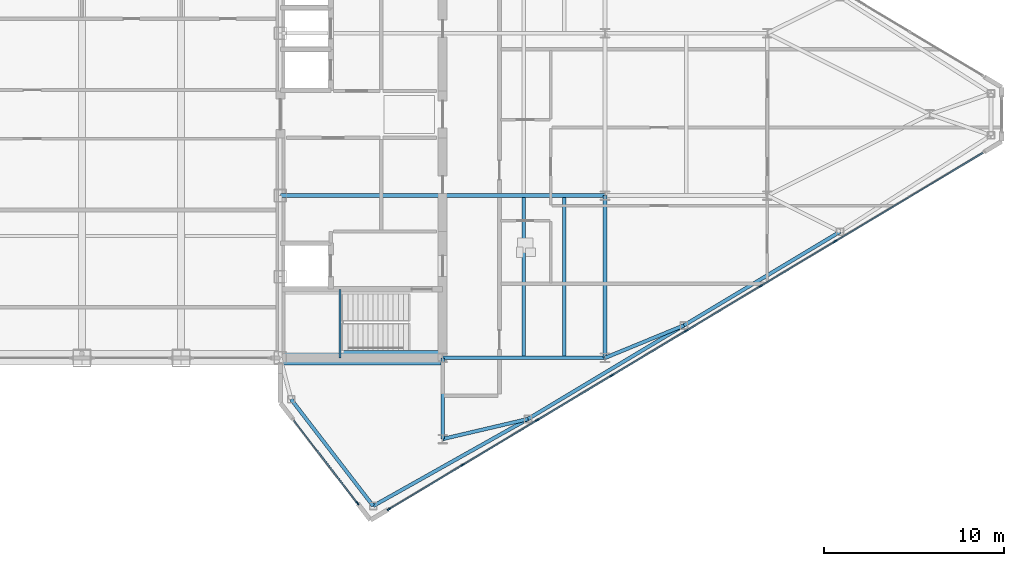
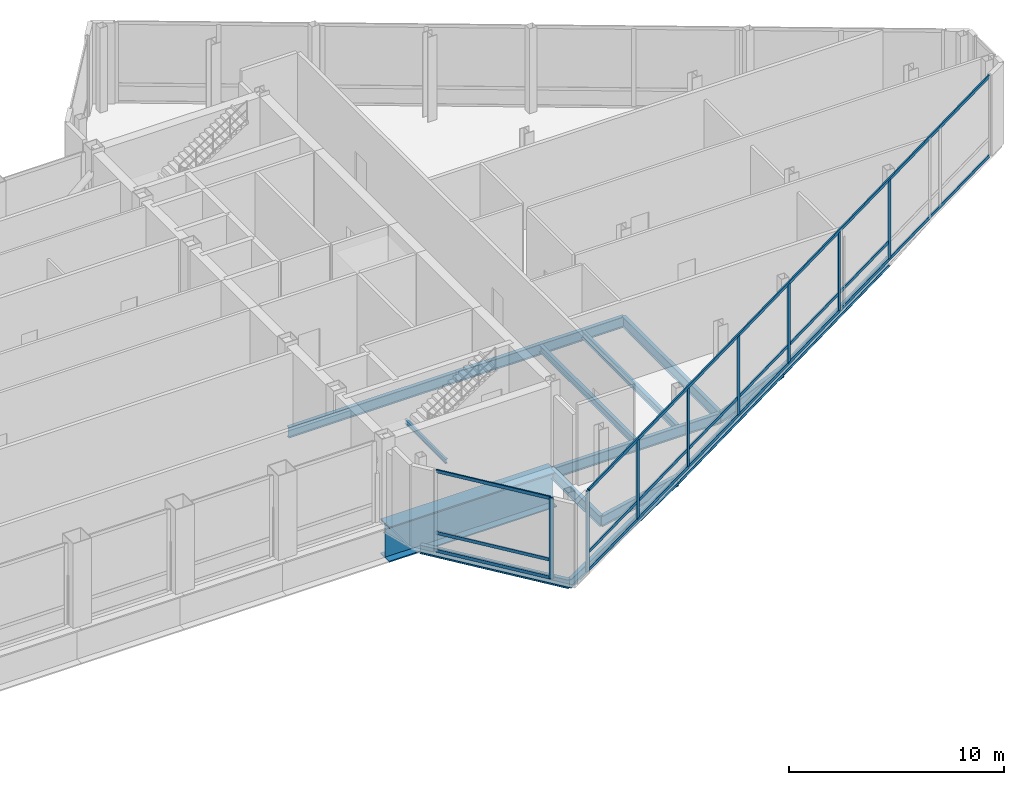
# One storey, part 14 of 30: 19 members, 15 beams, 2 elements without a shape of their own.
"""IFC4 building model written with IfcOpenShell, lengths in metres."""

from ifc_helpers import new_model, si_unit, direction, frame, origin, origin_2d, place, context, subcontext, project, spatial, rectangle, i_section, extrude, source, transform, mapped, material, layer, layer_set, material_profile, profile_set, type_object, type_shapes, element, aggregate, save


model = new_model("IFC4")

# Units and contexts
model_context = context("Model", 3, precision=1e-05, world=origin(), true_north=direction((0.0, 1.0)))
body_context = subcontext(model_context, "Body", "Model", "MODEL_VIEW")
ifc_project = project(units=[si_unit("LENGTHUNIT", "METRE"), si_unit("AREAUNIT", "SQUARE_METRE"), si_unit("VOLUMEUNIT", "CUBIC_METRE"), si_unit("PLANEANGLEUNIT", "RADIAN"), si_unit("MASSUNIT", "GRAM", prefix="KILO")], contexts=[model_context])

# Site, building, storey
site_placement = place(None, origin())
site = spatial("IfcSite", under=ifc_project, at=site_placement, CompositionType="ELEMENT")
building_placement = place(site_placement, origin())
building = spatial("IfcBuilding", under=site, at=building_placement, Name="Seokmaru Belvedere", CompositionType="ELEMENT")
storey_placement = place(building_placement, frame((0.0, 0.0, 234.60009765625)))
storey = spatial("IfcBuildingStorey", under=building, at=storey_placement, Name="L62", CompositionType="ELEMENT", Elevation=234.60009765625)

# Beams
ifc_material_1 = material(Name="Steel SM355 (355 MPa)", Category="steel")
ifc_material_profile_1 = material_profile(ifc_material_1, i_section(OverallWidth=0.199951171875, OverallDepth=0.60009765625, WebThickness=0.010986328125, FlangeThickness=0.01708984375, at=origin_2d()), Name="H-600x200x11x17")
ifc_profile_set_1 = profile_set([ifc_material_profile_1], Name="Steel SM355 (355 MPa)")
beam_type_1 = type_object("IfcBeamType", Name="Primary Floor Girder H-600", PredefinedType="BEAM", material=ifc_profile_set_1)
shared_shape_1 = source(origin(), body_context, "Body", "SweptSolid", [
    extrude(i_section(OverallWidth=0.199951171875, OverallDepth=0.60009765625, WebThickness=0.010986328125, FlangeThickness=0.01708984375, at=origin_2d()), origin(), (0.0, 0.0, 1.0), 9.0),
])
for number, where, z_axis, x_axis, name in (
    (1, (45.5, -13.5, -0.56005859375), (0.0, 1.0, 0.0), (-1.0, 0.0, 0.0), "L62 E Interior Grid Girder 1"),
    (2, (36.5, -13.5, -0.56005859375), (1.0, 0.0, 0.0), (0.0, 1.0, 0.0), "L62 E Wing Primary Girder 1"),
    (3, (27.5, -4.5, -0.56005859375), (1.0, 0.0, 0.0), (0.0, 1.0, 0.0), "L62 E Core Tie Girder 2"),
    (4, (36.5, -4.5, -0.56005859375), (1.0, 0.0, 0.0), (0.0, 1.0, 0.0), "L62 E Wing Primary Girder 2"),
):
    element("IfcBeam", number, at=place(storey_placement, frame(where, z_axis=z_axis, x_axis=x_axis)), inside=storey, type_object=beam_type_1, Name=name, PredefinedType="BEAM", context=body_context, shape_type="MappedRepresentation", body=[
        mapped(shared_shape_1, transform((0.0, 0.0, 0.0), scale=1.0)),
    ])
ifc_material_profile_2 = material_profile(ifc_material_1, i_section(OverallWidth=0.18505859375, OverallDepth=0.389892578125, WebThickness=0.008056640625, FlangeThickness=0.011962890625, at=origin_2d()), Name="H-390x185x8x12")
ifc_profile_set_2 = profile_set([ifc_material_profile_2], Name="Steel SM355 (355 MPa)")
beam_type_2 = type_object("IfcBeamType", Name="Secondary Floor Joist H-350", PredefinedType="JOIST", material=ifc_profile_set_2)
shared_shape_2 = source(origin(), body_context, "Body", "SweptSolid", [
    extrude(i_section(OverallWidth=0.18505859375, OverallDepth=0.389892578125, WebThickness=0.008056640625, FlangeThickness=0.011962890625, at=origin_2d()), origin(), (0.0, 0.0, 1.0), 8.7900390625),
])
type_shapes(beam_type_2, [shared_shape_2])
for number, where, z_axis, x_axis, name in (
    (5, (43.25, -13.39501953125, -0.455078125), (0.0, 1.0, 0.0), (-1.0, 0.0, 0.0), "L62 E Wing Inner Secondary Joist 1"),
    (6, (41.0, -13.39501953125, -0.455078125), (0.0, 1.0, 0.0), (-1.0, 0.0, 0.0), "L62 E Secondary Floor Joist 1"),
):
    element("IfcBeam", number, at=place(storey_placement, frame(where, z_axis=z_axis, x_axis=x_axis)), inside=storey, type_object=beam_type_2, Name=name, PredefinedType="JOIST", context=body_context, shape_type="MappedRepresentation", body=[
        mapped(shared_shape_2, transform((0.0, 0.0, 0.0), scale=1.0)),
    ])
shared_shape_3 = source(origin(), body_context, "Body", "SweptSolid", [
    extrude(i_section(OverallWidth=0.199951171875, OverallDepth=0.60009765625, WebThickness=0.010986328125, FlangeThickness=0.01708984375, at=origin_2d()), origin(), (0.0, 0.0, 1.0), 4.5),
])
beam_1_placement = place(storey_placement, frame((36.5, -18.0, -0.56005859375), z_axis=(0.0, 1.0, 0.0), x_axis=(-1.0, 0.0, 0.0)))
element("IfcBeam", 7, at=beam_1_placement, inside=storey, type_object=beam_type_1, Name="L62 E Core Shoulder Girder S", PredefinedType="BEAM", context=body_context, shape_type="MappedRepresentation", body=[
    mapped(shared_shape_3, transform((0.0, 0.0, 0.0), scale=1.0)),
])
ifc_material_profile_3 = material_profile(ifc_material_1, i_section(OverallWidth=0.199951171875, OverallDepth=0.5, WebThickness=0.010009765625, FlangeThickness=0.01611328125, at=origin_2d()), Name="H-500x200x10x16")
ifc_profile_set_3 = profile_set([ifc_material_profile_3], Name="Steel SM355 (355 MPa)")
beam_type_3 = type_object("IfcBeamType", Name="Perimeter Spandrel Beam H-500", PredefinedType="SPANDREL", material=ifc_profile_set_3)
shared_shape_4 = source(origin(), body_context, "Body", "SweptSolid", [
    extrude(i_section(OverallWidth=0.199951171875, OverallDepth=0.5, WebThickness=0.010009765625, FlangeThickness=0.01611328125, at=origin_2d()), origin(), (0.0, 0.0, 1.0), 9.842041015625),
])
beam_2_placement = place(storey_placement, frame((32.649658203125, -21.71044921875, -0.510009765625), z_axis=(0.871782151818, 0.489893743349, 0.0), x_axis=(-0.489893743349, 0.871782151818, 0.0)))
element("IfcBeam", 8, at=beam_2_placement, inside=storey, type_object=beam_type_3, Name="L62 E Faceted Flank Spandrel S-1", PredefinedType="SPANDREL", context=body_context, shape_type="MappedRepresentation", body=[
    mapped(shared_shape_4, transform((0.0, 0.0, 0.0), scale=1.0)),
])
shared_shape_5 = source(origin(), body_context, "Body", "SweptSolid", [
    extrude(i_section(OverallWidth=0.199951171875, OverallDepth=0.5, WebThickness=0.010009765625, FlangeThickness=0.01611328125, at=origin_2d()), origin(), (0.0, 0.0, 1.0), 10.087646484375),
])
for number, where, z_axis, x_axis, name in (
    (9, (41.229736328125, -16.888916015625, -0.510009765625), (0.857499332045, 0.514485078056, 0.0), (-0.514485078056, 0.857499332045, 0.0), "L62 E Faceted Flank Spandrel S-2"),
    (10, (49.8798828125, -11.698974609375, -0.510009765625), (0.857488654804, 0.514502873542, 0.0), (-0.514502873542, 0.857488654804, 0.0), "L62 E Faceted Flank Spandrel S-3"),
):
    element("IfcBeam", number, at=place(storey_placement, frame(where, z_axis=z_axis, x_axis=x_axis)), inside=storey, type_object=beam_type_3, Name=name, PredefinedType="SPANDREL", context=body_context, shape_type="MappedRepresentation", body=[
        mapped(shared_shape_5, transform((0.0, 0.0, 0.0), scale=1.0)),
    ])
shared_shape_6 = source(origin(), body_context, "Body", "SweptSolid", [
    extrude(i_section(OverallWidth=0.199951171875, OverallDepth=0.5, WebThickness=0.010009765625, FlangeThickness=0.01611328125, at=origin_2d()), origin(), (0.0, 0.0, 1.0), 7.4619140625),
])
type_shapes(beam_type_3, [shared_shape_4, shared_shape_5, shared_shape_6])
beam_3_placement = place(storey_placement, frame((32.649658203125, -21.71044921875, -0.510009765625), z_axis=(-0.609702854945, 0.792630070507, 0.0), x_axis=(-0.792630070507, -0.609702854945, 0.0)))
element("IfcBeam", 11, at=beam_3_placement, inside=storey, type_object=beam_type_3, Name="L62 E Shoulder Chamfer Spandrel S", PredefinedType="SPANDREL", context=body_context, shape_type="MappedRepresentation", body=[
    mapped(shared_shape_6, transform((0.0, 0.0, 0.0), scale=1.0)),
])
shared_shape_7 = source(origin(), body_context, "Body", "SweptSolid", [
    extrude(i_section(OverallWidth=0.199951171875, OverallDepth=0.60009765625, WebThickness=0.010986328125, FlangeThickness=0.01708984375, at=origin_2d()), origin(), (0.0, 0.0, 1.0), 4.8583984375),
])
beam_4_placement = place(storey_placement, frame((41.229736328125, -16.888916015625, -0.56005859375), z_axis=(-0.97349948295, -0.228689214211, 0.0), x_axis=(0.228689214211, -0.97349948295, 0.0)))
element("IfcBeam", 12, at=beam_4_placement, inside=storey, type_object=beam_type_1, Name="L62 E Flank Radial Floor Girder S-1", PredefinedType="BEAM", context=body_context, shape_type="MappedRepresentation", body=[
    mapped(shared_shape_7, transform((0.0, 0.0, 0.0), scale=1.0)),
])
shared_shape_8 = source(origin(), body_context, "Body", "SweptSolid", [
    extrude(i_section(OverallWidth=0.199951171875, OverallDepth=0.60009765625, WebThickness=0.010986328125, FlangeThickness=0.01708984375, at=origin_2d()), origin(), (0.0, 0.0, 1.0), 4.73583984375),
])
type_shapes(beam_type_1, [shared_shape_1, shared_shape_3, shared_shape_7, shared_shape_8])
beam_5_placement = place(storey_placement, frame((49.8798828125, -11.698974609375, -0.56005859375), z_axis=(-0.924860562953, -0.380306375301, 0.0), x_axis=(0.380306375301, -0.924860562953, 0.0)))
element("IfcBeam", 13, at=beam_5_placement, inside=storey, type_object=beam_type_1, Name="L62 E Flank Radial Floor Girder S-2", PredefinedType="BEAM", context=body_context, shape_type="MappedRepresentation", body=[
    mapped(shared_shape_8, transform((0.0, 0.0, 0.0), scale=1.0)),
])
ifc_material_2 = material(Name="Steel HSA650 (650 MPa)", Category="steel")
ifc_material_profile_4 = material_profile(ifc_material_2, i_section(OverallWidth=0.800048828125, OverallDepth=2.0, WebThickness=0.0400390625, FlangeThickness=0.070068359375, at=origin_2d()), Name="BH-2000x800x40x70")
ifc_profile_set_4 = profile_set([ifc_material_profile_4], Name="Steel HSA650 (650 MPa)")
beam_type_4 = type_object("IfcBeamType", Name="Sky-Gate Transfer Truss Chord Girder BH-2000", PredefinedType="BEAM", material=ifc_profile_set_4)
shared_shape_9 = source(origin(), body_context, "Body", "SweptSolid", [
    extrude(i_section(OverallWidth=0.800048828125, OverallDepth=2.0, WebThickness=0.0400390625, FlangeThickness=0.070068359375, at=origin_2d()), origin(), (0.0, 0.0, 1.0), 9.0),
])
type_shapes(beam_type_4, [shared_shape_9])
beam_6_placement = place(storey_placement, frame((27.5, -13.5, -1.260009765625), z_axis=(1.0, 0.0, 0.0), x_axis=(0.0, 1.0, 0.0)))
element("IfcBeam", 14, at=beam_6_placement, inside=storey, type_object=beam_type_4, Name="L62 Sky-Gate Transfer Truss Chord S-12", PredefinedType="BEAM", context=body_context, shape_type="MappedRepresentation", body=[
    mapped(shared_shape_9, transform((0.0, 0.0, 0.0), scale=1.0)),
])

# Curtain wall, members
ifc_material_3 = material(Name="Bronze Triple Insulating Glass", Category="glass")
ifc_layer = layer(ifc_material_3, 0.219970703125)
ifc_layer_set = layer_set([ifc_layer], Name="Bronze Triple Insulating Glass")
curtain_wall_type = type_object("IfcCurtainWallType", Name="Sky-Gate Bridge Panorama Curtain Wall System CW-6", PredefinedType="NOTDEFINED", material=ifc_layer_set)
curtain_wall_1_placement = place(storey_placement, origin())
curtain_wall_1 = element("IfcCurtainWall", 15, at=curtain_wall_1_placement, inside=storey, type_object=curtain_wall_type, Name="L62 Curtain Wall EF6", PredefinedType="NOTDEFINED")
ifc_material_4 = material(Name="Anodised Bronze Aluminium", Category="aluminium")
ifc_material_profile_5 = material_profile(ifc_material_4, rectangle(XDim=0.074951171875, YDim=0.179931640625, at=origin_2d()), Name="CW-T-75x180")
ifc_profile_set_5 = profile_set([ifc_material_profile_5], Name="Anodised Bronze Aluminium")
member_type_1 = type_object("IfcMemberType", Name="Bronze Unitised Transom 75x180", PredefinedType="USERDEFINED", material=ifc_profile_set_5)
shared_shape_10 = source(origin(), body_context, "Body", "SweptSolid", [
    extrude(rectangle(XDim=0.074951171875, YDim=0.179931640625, at=origin_2d()), origin(), (0.0, 0.0, 1.0), 5.74072265625),
])
member_1_placement = place(storey_placement, frame((28.25, -16.974853515625, 0.037353515625), z_axis=(0.609686097287, -0.792642960465, 0.0), x_axis=(0.792642960465, 0.609686097287, 0.0)))
member_1 = element("IfcMember", 16, at=member_1_placement, type_object=member_type_1, Name="CW:L62:EF6 Continuous Transom 1", ObjectType="TRANSOM", PredefinedType="USERDEFINED", context=body_context, shape_type="MappedRepresentation", body=[
    mapped(shared_shape_10, transform((0.0, 0.0, 0.0), scale=1.0)),
])
member_2_placement = place(storey_placement, frame((28.25, -16.974853515625, 4.54248046875), z_axis=(0.609686097287, -0.792642960465, 0.0), x_axis=(0.792642960465, 0.609686097287, 0.0)))
member_2 = element("IfcMember", 17, at=member_2_placement, type_object=member_type_1, Name="CW:L62:EF6 Continuous Transom 2", ObjectType="TRANSOM", PredefinedType="USERDEFINED", context=body_context, shape_type="MappedRepresentation", body=[
    mapped(shared_shape_10, transform((0.0, 0.0, 0.0), scale=1.0)),
])
member_3_placement = place(storey_placement, frame((28.25, -16.974853515625, 1.0498046875), z_axis=(0.609686097287, -0.792642960465, 0.0), x_axis=(0.792642960465, 0.609686097287, 0.0)))
member_3 = element("IfcMember", 18, at=member_3_placement, type_object=member_type_1, Name="CW:L62:EF6 Spandrel Transom 1", ObjectType="TRANSOM", PredefinedType="USERDEFINED", context=body_context, shape_type="MappedRepresentation", body=[
    mapped(shared_shape_10, transform((0.0, 0.0, 0.0), scale=1.0)),
])

curtain_wall_2_placement = place(storey_placement, origin())
curtain_wall_2 = element("IfcCurtainWall", 19, at=curtain_wall_2_placement, inside=storey, type_object=curtain_wall_type, Name="L62 Curtain Wall EF1", PredefinedType="NOTDEFINED")
shared_shape_11 = source(origin(), body_context, "Body", "SweptSolid", [
    extrude(rectangle(XDim=0.074951171875, YDim=0.179931640625, at=origin_2d()), origin(), (0.0, 0.0, 1.0), 38.356689453125),
])
member_4_placement = place(storey_placement, frame((33.5546875, -21.8671875, 0.037353515625), z_axis=(0.857492925713, 0.514495755428, 0.0), x_axis=(-0.514495755428, 0.857492925713, 0.0)))
member_4 = element("IfcMember", 20, at=member_4_placement, type_object=member_type_1, Name="CW:L62:EF1 Continuous Transom 1", ObjectType="TRANSOM", PredefinedType="USERDEFINED", context=body_context, shape_type="MappedRepresentation", body=[
    mapped(shared_shape_11, transform((0.0, 0.0, 0.0), scale=1.0)),
])
member_5_placement = place(storey_placement, frame((33.5546875, -21.8671875, 4.54248046875), z_axis=(0.857492925713, 0.514495755428, 0.0), x_axis=(-0.514495755428, 0.857492925713, 0.0)))
member_5 = element("IfcMember", 21, at=member_5_placement, type_object=member_type_1, Name="CW:L62:EF1 Continuous Transom 2", ObjectType="TRANSOM", PredefinedType="USERDEFINED", context=body_context, shape_type="MappedRepresentation", body=[
    mapped(shared_shape_11, transform((0.0, 0.0, 0.0), scale=1.0)),
])
shared_shape_12 = source(origin(), body_context, "Body", "SweptSolid", [
    extrude(rectangle(XDim=0.074951171875, YDim=0.179931640625, at=origin_2d()), origin(), (0.0, 0.0, 1.0), 4.694580078125),
])
member_6_placement = place(storey_placement, frame((33.5546875, -21.8671875, 1.0498046875), z_axis=(0.85750210284, 0.514480459906, 0.0), x_axis=(-0.514480459906, 0.85750210284, 0.0)))
member_6 = element("IfcMember", 22, at=member_6_placement, type_object=member_type_1, Name="CW:L62:EF1 Spandrel Transom 1", ObjectType="TRANSOM", PredefinedType="USERDEFINED", context=body_context, shape_type="MappedRepresentation", body=[
    mapped(shared_shape_12, transform((0.0, 0.0, 0.0), scale=1.0)),
])
shared_shape_13 = source(origin(), body_context, "Body", "SweptSolid", [
    extrude(rectangle(XDim=0.074951171875, YDim=0.179931640625, at=origin_2d()), origin(), (0.0, 0.0, 1.0), 4.734619140625),
])
member_7_placement = place(storey_placement, frame((37.64892578125, -19.41064453125, 1.0498046875), z_axis=(0.857479275774, 0.514518504641, 0.0), x_axis=(-0.514518504641, 0.857479275774, 0.0)))
member_7 = element("IfcMember", 23, at=member_7_placement, type_object=member_type_1, Name="CW:L62:EF1 Spandrel Transom 2", ObjectType="TRANSOM", PredefinedType="USERDEFINED", context=body_context, shape_type="MappedRepresentation", body=[
    mapped(shared_shape_13, transform((0.0, 0.0, 0.0), scale=1.0)),
])
shared_shape_14 = source(origin(), body_context, "Body", "SweptSolid", [
    extrude(rectangle(XDim=0.074951171875, YDim=0.179931640625, at=origin_2d()), origin(), (0.0, 0.0, 1.0), 4.734375),
])
member_8_placement = place(storey_placement, frame((41.77734375, -16.93359375, 1.0498046875), z_axis=(0.857502025578, 0.514480588682, 0.0), x_axis=(-0.514480588682, 0.857502025578, 0.0)))
member_8 = element("IfcMember", 24, at=member_8_placement, type_object=member_type_1, Name="CW:L62:EF1 Spandrel Transom 3", ObjectType="TRANSOM", PredefinedType="USERDEFINED", context=body_context, shape_type="MappedRepresentation", body=[
    mapped(shared_shape_14, transform((0.0, 0.0, 0.0), scale=1.0)),
])
member_9_placement = place(storey_placement, frame((54.162841796875, -9.502197265625, 1.0498046875), z_axis=(0.857502025578, 0.514480588682, 0.0), x_axis=(-0.514480588682, 0.857502025578, 0.0)))
member_9 = element("IfcMember", 25, at=member_9_placement, type_object=member_type_1, Name="CW:L62:EF1 Spandrel Transom 6", ObjectType="TRANSOM", PredefinedType="USERDEFINED", context=body_context, shape_type="MappedRepresentation", body=[
    mapped(shared_shape_14, transform((0.0, 0.0, 0.0), scale=1.0)),
])
shared_shape_15 = source(origin(), body_context, "Body", "SweptSolid", [
    extrude(rectangle(XDim=0.074951171875, YDim=0.179931640625, at=origin_2d()), origin(), (0.0, 0.0, 1.0), 4.73486328125),
])
type_shapes(member_type_1, [shared_shape_10, shared_shape_11, shared_shape_12, shared_shape_13, shared_shape_14, shared_shape_15])
member_10_placement = place(storey_placement, frame((45.90576171875, -14.45654296875, 1.0498046875), z_axis=(0.857492925713, 0.514495755428, 0.0), x_axis=(-0.514495755428, 0.857492925713, 0.0)))
member_10 = element("IfcMember", 26, at=member_10_placement, type_object=member_type_1, Name="CW:L62:EF1 Spandrel Transom 4", ObjectType="TRANSOM", PredefinedType="USERDEFINED", context=body_context, shape_type="MappedRepresentation", body=[
    mapped(shared_shape_15, transform((0.0, 0.0, 0.0), scale=1.0)),
])
member_11_placement = place(storey_placement, frame((50.0341796875, -11.9794921875, 1.0498046875), z_axis=(0.857492925713, 0.514495755428, 0.0), x_axis=(-0.514495755428, 0.857492925713, 0.0)))
member_11 = element("IfcMember", 27, at=member_11_placement, type_object=member_type_1, Name="CW:L62:EF1 Spandrel Transom 5", ObjectType="TRANSOM", PredefinedType="USERDEFINED", context=body_context, shape_type="MappedRepresentation", body=[
    mapped(shared_shape_15, transform((0.0, 0.0, 0.0), scale=1.0)),
])
ifc_material_profile_6 = material_profile(ifc_material_4, rectangle(XDim=0.080078125, YDim=0.219970703125, at=origin_2d()), Name="CW-M-80x220")
ifc_profile_set_6 = profile_set([ifc_material_profile_6], Name="Anodised Bronze Aluminium")
member_type_2 = type_object("IfcMemberType", Name="Bronze Unitised Mullion 80x220", PredefinedType="MULLION", material=ifc_profile_set_6)
shared_shape_16 = source(origin(), body_context, "Body", "SweptSolid", [
    extrude(rectangle(XDim=0.080078125, YDim=0.219970703125, at=origin_2d()), origin(), (0.0, 0.0, 1.0), 4.579833984375),
])
member_12_placement = place(storey_placement, frame((33.5205078125, -21.8876953125, 0.0), z_axis=(0.0, 0.0, 1.0), x_axis=(-0.514494909364, 0.85749343335, 0.0)))
member_12 = element("IfcMember", 28, at=member_12_placement, type_object=member_type_2, Name="CW:L62:EF1 Mullion 1", PredefinedType="MULLION", context=body_context, shape_type="MappedRepresentation", body=[
    mapped(shared_shape_16, transform((0.0, 0.0, 0.0), scale=1.0)),
])

# Member
member_13_placement = place(storey_placement, frame((31.7744140625, -21.556884765625, 0.0), z_axis=(0.0, 0.0, 1.0), x_axis=(0.792631353244, 0.609701187349, 0.0)))
member_13 = element("IfcMember", 29, at=member_13_placement, type_object=member_type_2, Name="CW:L62:EF6 Mullion 2", PredefinedType="MULLION", context=body_context, shape_type="MappedRepresentation", body=[
    mapped(shared_shape_16, transform((0.0, 0.0, 0.0), scale=1.0)),
])

aggregate(curtain_wall_1, [member_13, member_1, member_2, member_3])

shared_shape_17 = source(origin(), body_context, "Body", "SweptSolid", [
    extrude(rectangle(XDim=0.080078125, YDim=0.219970703125, at=origin_2d()), origin(), (0.0, 0.0, 1.0), 4.429931640625),
])
type_shapes(member_type_2, [shared_shape_16, shared_shape_17])
member_14_placement = place(storey_placement, frame((37.614501953125, -19.43115234375, 0.074951171875), z_axis=(0.0, 0.0, 1.0), x_axis=(-0.514494909364, 0.85749343335, 0.0)))
member_14 = element("IfcMember", 30, at=member_14_placement, type_object=member_type_2, Name="CW:L62:EF1 Mullion 2", PredefinedType="MULLION", context=body_context, shape_type="MappedRepresentation", body=[
    mapped(shared_shape_17, transform((0.0, 0.0, 0.0), scale=1.0)),
])

member_15_placement = place(storey_placement, frame((41.7431640625, -16.9541015625, 0.074951171875), z_axis=(0.0, 0.0, 1.0), x_axis=(-0.514494909364, 0.85749343335, 0.0)))
member_15 = element("IfcMember", 31, at=member_15_placement, type_object=member_type_2, Name="CW:L62:EF1 Mullion 3", PredefinedType="MULLION", context=body_context, shape_type="MappedRepresentation", body=[
    mapped(shared_shape_17, transform((0.0, 0.0, 0.0), scale=1.0)),
])

member_16_placement = place(storey_placement, frame((45.87158203125, -14.47705078125, 0.074951171875), z_axis=(0.0, 0.0, 1.0), x_axis=(-0.514494909364, 0.85749343335, 0.0)))
member_16 = element("IfcMember", 32, at=member_16_placement, type_object=member_type_2, Name="CW:L62:EF1 Mullion 4", PredefinedType="MULLION", context=body_context, shape_type="MappedRepresentation", body=[
    mapped(shared_shape_17, transform((0.0, 0.0, 0.0), scale=1.0)),
])

member_17_placement = place(storey_placement, frame((50.0, -12.0, 0.074951171875), z_axis=(0.0, 0.0, 1.0), x_axis=(-0.514494909364, 0.85749343335, 0.0)))
member_17 = element("IfcMember", 33, at=member_17_placement, type_object=member_type_2, Name="CW:L62:EF1 Mullion 5", PredefinedType="MULLION", context=body_context, shape_type="MappedRepresentation", body=[
    mapped(shared_shape_17, transform((0.0, 0.0, 0.0), scale=1.0)),
])

member_18_placement = place(storey_placement, frame((54.12841796875, -9.52294921875, 0.074951171875), z_axis=(0.0, 0.0, 1.0), x_axis=(-0.514494909364, 0.85749343335, 0.0)))
member_18 = element("IfcMember", 34, at=member_18_placement, type_object=member_type_2, Name="CW:L62:EF1 Mullion 6", PredefinedType="MULLION", context=body_context, shape_type="MappedRepresentation", body=[
    mapped(shared_shape_17, transform((0.0, 0.0, 0.0), scale=1.0)),
])

member_19_placement = place(storey_placement, frame((58.257080078125, -7.0458984375, 0.074951171875), z_axis=(0.0, 0.0, 1.0), x_axis=(-0.514494909364, 0.85749343335, 0.0)))
member_19 = element("IfcMember", 35, at=member_19_placement, type_object=member_type_2, Name="CW:L62:EF1 Mullion 7", PredefinedType="MULLION", context=body_context, shape_type="MappedRepresentation", body=[
    mapped(shared_shape_17, transform((0.0, 0.0, 0.0), scale=1.0)),
])

aggregate(curtain_wall_2, [member_12, member_14, member_15, member_16, member_17, member_18, member_19, member_4, member_5, member_6, member_7, member_8, member_10, member_11, member_9])

# Beam
ifc_material_profile_7 = material_profile(ifc_material_1, i_section(OverallWidth=0.125, OverallDepth=0.25, WebThickness=0.006103515625, FlangeThickness=0.009033203125, at=origin_2d()), Name="H-250x125x6x9")
ifc_profile_set_7 = profile_set([ifc_material_profile_7], Name="Steel SM355 (355 MPa)")
beam_type_5 = type_object("IfcBeamType", Name="Stair Mid-Landing Support Beam H-250", PredefinedType="JOIST", material=ifc_profile_set_7)
shared_shape_18 = source(origin(), body_context, "Body", "SweptSolid", [
    extrude(i_section(OverallWidth=0.125, OverallDepth=0.25, WebThickness=0.006103515625, FlangeThickness=0.009033203125, at=origin_2d()), origin(), (0.0, 0.0, 1.0), 3.800048828125),
])
type_shapes(beam_type_5, [shared_shape_18])
beam_7_placement = place(storey_placement, frame((30.81005859375, -13.5, 2.074951171875), z_axis=(0.0, 1.0, 0.0), x_axis=(-1.0, 0.0, 0.0)))
element("IfcBeam", 36, at=beam_7_placement, inside=storey, type_object=beam_type_5, Name="L62 Stair ST-E1 Mid-Landing Support Beam 1", PredefinedType="JOIST", context=body_context, shape_type="MappedRepresentation", body=[
    mapped(shared_shape_18, transform((0.0, 0.0, 0.0), scale=1.0)),
])

save(model, "model.ifc")
